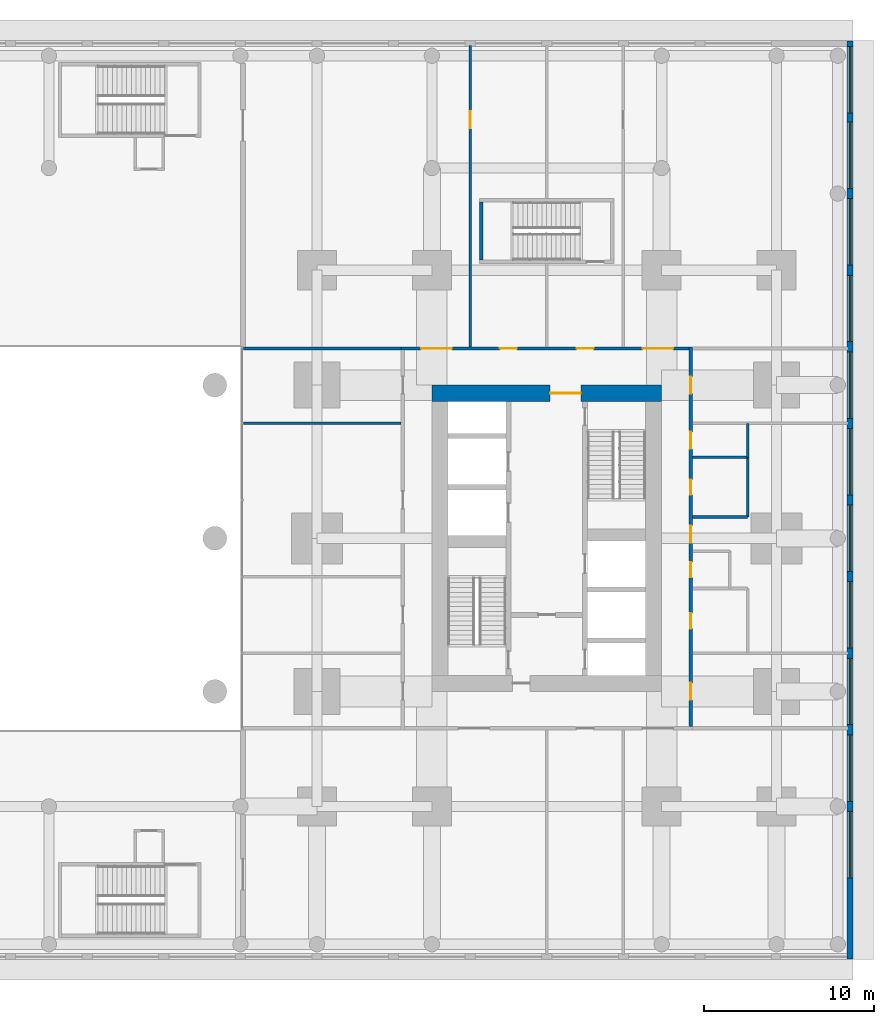
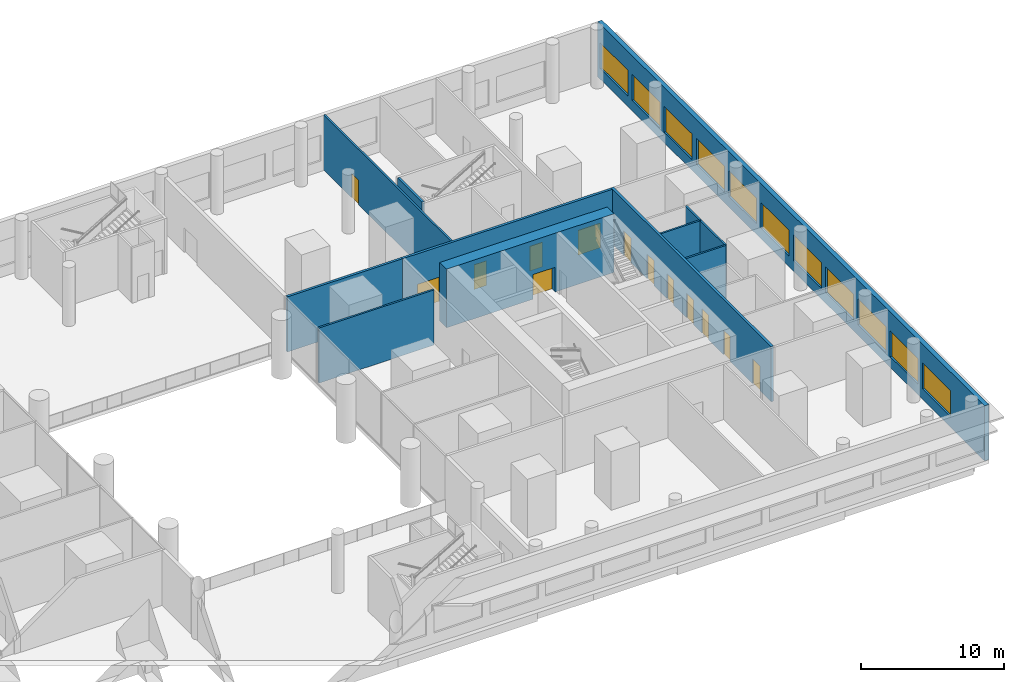
# One storey, part 16 of 22: 13 doors, 12 walls, 11 windows, 24 openings.
"""IFC4 building model written with IfcOpenShell, lengths in metres."""

from ifc_helpers import new_model, si_unit, direction, frame, frame_2d, origin, place, context, subcontext, project, spatial, rectangle, extrude, material, layer, layer_set, type_object, element, fill, save


model = new_model("IFC4")

# Units and contexts
model_context = context("Model", 3, precision=1e-05, world=origin(), true_north=direction((0.0, 1.0)))
body_context = subcontext(model_context, "Body", "Model", "MODEL_VIEW")
ifc_project = project(units=[si_unit("LENGTHUNIT", "METRE"), si_unit("AREAUNIT", "SQUARE_METRE"), si_unit("VOLUMEUNIT", "CUBIC_METRE"), si_unit("PLANEANGLEUNIT", "RADIAN"), si_unit("MASSUNIT", "GRAM", prefix="KILO")], contexts=[model_context])

# Site, building, storey
site_placement = place(None, origin())
site = spatial("IfcSite", under=ifc_project, at=site_placement, CompositionType="ELEMENT")
building_placement = place(site_placement, origin())
building = spatial("IfcBuilding", under=site, at=building_placement, Name="Namib Vertical Campus", CompositionType="ELEMENT")
storey_placement = place(building_placement, frame((0.0, 0.0, 11.0)))
storey = spatial("IfcBuildingStorey", under=building, at=storey_placement, Name="L02", CompositionType="ELEMENT", Elevation=11.0)

# Wall, opening, door
ifc_material_1 = material(Name="Concrete C60/75", Category="concrete")
ifc_layer_1 = layer(ifc_material_1, 0.949951171875)
ifc_layer_set_1 = layer_set([ifc_layer_1], Name="Concrete C60/75")
wall_type_1 = type_object("IfcWallType", Name="Core wall 950", PredefinedType="SHEAR", material=ifc_layer_set_1)
wall_1_placement = place(storey_placement, frame((87.75, 28.77490234375, 0.0), z_axis=(0.0, 0.0, 1.0), x_axis=(-1.0, 0.0, 0.0)))
wall_1 = element("IfcWall", 1, at=wall_1_placement, inside=storey, type_object=wall_type_1, Name="Core wall B L02 3", PredefinedType="SHEAR", context=body_context, shape_type="SweptSolid", body=[
    extrude(rectangle(XDim=13.5, YDim=0.949951171875, at=frame_2d((6.75, 0.0))), origin(), (0.0, 0.0, 1.0), 5.0),
])
opening_1_placement = place(wall_1_placement, frame((4.75, 0.0, 0.0)))
opening_1 = element("IfcOpeningElement", 2, at=opening_1_placement, cuts=wall_1, Name="Opening FD2", PredefinedType="OPENING", context=body_context, shape_type="SweptSolid", body=[
    extrude(rectangle(XDim=1.800048828125, YDim=2.10009765625, at=frame_2d((0.89990234375, 1.050048828125))), frame((0.0, 0.48486328125, 0.0), z_axis=(0.0, -1.0, 0.0), x_axis=(1.0, 0.0, 0.0)), (0.0, 0.0, 1.0), 0.969970703125),
])
ifc_material_2 = material(Name="Steel fire door", Category="steel")
door_type_1 = type_object("IfcDoorType", Name="Fire door double 1800x2100", OperationType="DOUBLE_DOOR_SINGLE_SWING", PredefinedType="DOOR", material=ifc_material_2)
door_1_placement = place(opening_1_placement, origin())
door_1 = element("IfcDoor", 3, at=door_1_placement, inside=storey, type_object=door_type_1, Name="Lift lobby door FD2 B L02", OperationType="DOUBLE_DOOR_SINGLE_SWING", OverallHeight=2.10009765625, OverallWidth=1.800048828125, PredefinedType="DOOR", context=body_context, shape_type="SweptSolid", body=[
    extrude(rectangle(XDim=1.800048828125, YDim=2.10009765625, at=frame_2d((0.89990234375, 1.050048828125))), frame((0.0, 0.02490234375, 0.0), z_axis=(0.0, -1.0, 0.0), x_axis=(1.0, 0.0, 0.0)), (0.0, 0.0, 1.0), 0.050048828125),
])
fill(opening_1, door_1)

# Wall, openings, doors
ifc_material_3 = material(Name="Concrete masonry", Category="masonry")
ifc_layer_2 = layer(ifc_material_3, 0.199951171875)
ifc_layer_set_2 = layer_set([ifc_layer_2], Name="Corridor wall 200")
wall_type_2 = type_object("IfcWallType", Name="Corridor wall 200", PredefinedType="SOLIDWALL", material=ifc_layer_set_2)
wall_2_placement = place(storey_placement, frame((89.449951171875, 9.199951171875, 0.0), z_axis=(0.0, 0.0, 1.0), x_axis=(0.0, 1.0, 0.0)))
wall_2 = element("IfcWall", 4, at=wall_2_placement, inside=storey, type_object=wall_type_2, Name="Corridor wall B L02 CE", PredefinedType="SOLIDWALL", context=body_context, shape_type="SweptSolid", body=[
    extrude(rectangle(XDim=22.300048828125, YDim=0.199951171875, at=frame_2d((11.14990234375, 0.0))), origin(), (0.0, 0.0, 1.0), 4.699951171875),
])
opening_2_placement = place(wall_2_placement, frame((1.550048828125, 0.0, 0.0)))
opening_2 = element("IfcOpeningElement", 5, at=opening_2_placement, cuts=wall_2, Name="Opening CD1", PredefinedType="OPENING", context=body_context, shape_type="SweptSolid", body=[
    extrude(rectangle(XDim=1.0, YDim=2.10009765625, at=frame_2d((0.5, 1.050048828125))), frame((0.0, 0.10986328125, 0.0), z_axis=(0.0, -1.0, 0.0), x_axis=(1.0, 0.0, 0.0)), (0.0, 0.0, 1.0), 0.219970703125),
])
opening_3_placement = place(wall_2_placement, frame((5.75, 0.0, 0.0)))
opening_3 = element("IfcOpeningElement", 6, at=opening_3_placement, cuts=wall_2, Name="Opening CD3", PredefinedType="OPENING", context=body_context, shape_type="SweptSolid", body=[
    extrude(rectangle(XDim=0.89990234375, YDim=2.10009765625, at=frame_2d((0.449951171875, 1.050048828125))), frame((0.0, 0.10986328125, 0.0), z_axis=(0.0, -1.0, 0.0), x_axis=(1.0, 0.0, 0.0)), (0.0, 0.0, 1.0), 0.219970703125),
])
opening_4_placement = place(wall_2_placement, frame((8.75, 0.0, 0.0)))
opening_4 = element("IfcOpeningElement", 7, at=opening_4_placement, cuts=wall_2, Name="Opening CD3", PredefinedType="OPENING", context=body_context, shape_type="SweptSolid", body=[
    extrude(rectangle(XDim=0.89990234375, YDim=2.10009765625, at=frame_2d((0.449951171875, 1.050048828125))), frame((0.0, 0.10986328125, 0.0), z_axis=(0.0, -1.0, 0.0), x_axis=(1.0, 0.0, 0.0)), (0.0, 0.0, 1.0), 0.219970703125),
])
opening_5_placement = place(wall_2_placement, frame((13.60009765625, 0.0, 0.0)))
opening_5 = element("IfcOpeningElement", 8, at=opening_5_placement, cuts=wall_2, Name="Opening CD3", PredefinedType="OPENING", context=body_context, shape_type="SweptSolid", body=[
    extrude(rectangle(XDim=0.89990234375, YDim=2.10009765625, at=frame_2d((0.449951171875, 1.050048828125))), frame((0.0, 0.10986328125, 0.0), z_axis=(0.0, -1.0, 0.0), x_axis=(1.0, 0.0, 0.0)), (0.0, 0.0, 1.0), 0.219970703125),
])
opening_6_placement = place(wall_2_placement, frame((16.300048828125, 0.0, 0.0)))
opening_6 = element("IfcOpeningElement", 9, at=opening_6_placement, cuts=wall_2, Name="Opening CD1", PredefinedType="OPENING", context=body_context, shape_type="SweptSolid", body=[
    extrude(rectangle(XDim=1.0, YDim=2.10009765625, at=frame_2d((0.5, 1.050048828125))), frame((0.0, 0.10986328125, 0.0), z_axis=(0.0, -1.0, 0.0), x_axis=(1.0, 0.0, 0.0)), (0.0, 0.0, 1.0), 0.219970703125),
])
opening_7_placement = place(wall_2_placement, frame((10.800048828125, 0.0, 0.0)))
opening_7 = element("IfcOpeningElement", 10, at=opening_7_placement, cuts=wall_2, Name="Opening CD1", PredefinedType="OPENING", context=body_context, shape_type="SweptSolid", body=[
    extrude(rectangle(XDim=1.0, YDim=2.10009765625, at=frame_2d((0.5, 1.050048828125))), frame((0.0, 0.10986328125, 0.0), z_axis=(0.0, -1.0, 0.0), x_axis=(1.0, 0.0, 0.0)), (0.0, 0.0, 1.0), 0.219970703125),
])
opening_8_placement = place(wall_2_placement, frame((19.550048828125, 0.0, 0.0)))
opening_8 = element("IfcOpeningElement", 11, at=opening_8_placement, cuts=wall_2, Name="Opening CD1", PredefinedType="OPENING", context=body_context, shape_type="SweptSolid", body=[
    extrude(rectangle(XDim=1.0, YDim=2.10009765625, at=frame_2d((0.5, 1.050048828125))), frame((0.0, 0.10986328125, 0.0), z_axis=(0.0, -1.0, 0.0), x_axis=(1.0, 0.0, 0.0)), (0.0, 0.0, 1.0), 0.219970703125),
])
ifc_material_4 = material(Name="Timber fire door leaf", Category="wood")
door_type_2 = type_object("IfcDoorType", Name="Corridor door 1000x2100 20 min", OperationType="SINGLE_SWING_LEFT", PredefinedType="DOOR", material=ifc_material_4)
door_2_placement = place(opening_2_placement, frame((1.0, 0.0, 0.0), z_axis=(0.0, 0.0, 1.0), x_axis=(-1.0, 0.0, 0.0)))
door_2 = element("IfcDoor", 12, at=door_2_placement, inside=storey, type_object=door_type_2, Name="Door CD1 B02-04", OperationType="SINGLE_SWING_RIGHT", OverallHeight=2.10009765625, OverallWidth=1.0, PredefinedType="DOOR", context=body_context, shape_type="SweptSolid", body=[
    extrude(rectangle(XDim=1.0, YDim=2.10009765625, at=frame_2d((0.5, 1.050048828125))), frame((0.0, 0.02490234375, 0.0), z_axis=(0.0, -1.0, 0.0), x_axis=(1.0, 0.0, 0.0)), (0.0, 0.0, 1.0), 0.050048828125),
])
fill(opening_2, door_2)
door_3_placement = place(opening_6_placement, frame((1.0, 0.0, 0.0), z_axis=(0.0, 0.0, 1.0), x_axis=(-1.0, 0.0, 0.0)))
door_3 = element("IfcDoor", 13, at=door_3_placement, inside=storey, type_object=door_type_2, Name="Door CD1 B02-08", OperationType="SINGLE_SWING_RIGHT", OverallHeight=2.10009765625, OverallWidth=1.0, PredefinedType="DOOR", context=body_context, shape_type="SweptSolid", body=[
    extrude(rectangle(XDim=1.0, YDim=2.10009765625, at=frame_2d((0.5, 1.050048828125))), frame((0.0, 0.02490234375, 0.0), z_axis=(0.0, -1.0, 0.0), x_axis=(1.0, 0.0, 0.0)), (0.0, 0.0, 1.0), 0.050048828125),
])
fill(opening_6, door_3)
door_4_placement = place(opening_7_placement, frame((1.0, 0.0, 0.0), z_axis=(0.0, 0.0, 1.0), x_axis=(-1.0, 0.0, 0.0)))
door_4 = element("IfcDoor", 14, at=door_4_placement, inside=storey, type_object=door_type_2, Name="Door CD1 B02-09", OperationType="SINGLE_SWING_RIGHT", OverallHeight=2.10009765625, OverallWidth=1.0, PredefinedType="DOOR", context=body_context, shape_type="SweptSolid", body=[
    extrude(rectangle(XDim=1.0, YDim=2.10009765625, at=frame_2d((0.5, 1.050048828125))), frame((0.0, 0.02490234375, 0.0), z_axis=(0.0, -1.0, 0.0), x_axis=(1.0, 0.0, 0.0)), (0.0, 0.0, 1.0), 0.050048828125),
])
fill(opening_7, door_4)
door_5_placement = place(opening_8_placement, frame((1.0, 0.0, 0.0), z_axis=(0.0, 0.0, 1.0), x_axis=(-1.0, 0.0, 0.0)))
door_5 = element("IfcDoor", 15, at=door_5_placement, inside=storey, type_object=door_type_2, Name="Door CD1 B02-10", OperationType="SINGLE_SWING_RIGHT", OverallHeight=2.10009765625, OverallWidth=1.0, PredefinedType="DOOR", context=body_context, shape_type="SweptSolid", body=[
    extrude(rectangle(XDim=1.0, YDim=2.10009765625, at=frame_2d((0.5, 1.050048828125))), frame((0.0, 0.02490234375, 0.0), z_axis=(0.0, -1.0, 0.0), x_axis=(1.0, 0.0, 0.0)), (0.0, 0.0, 1.0), 0.050048828125),
])
fill(opening_8, door_5)
ifc_material_5 = material(Name="Timber fire door leaf", Category="wood")
door_type_3 = type_object("IfcDoorType", Name="Corridor toilet door 900x2100 20 min", OperationType="SINGLE_SWING_LEFT", PredefinedType="DOOR", material=ifc_material_5)
door_6_placement = place(opening_3_placement, frame((0.89990234375, 0.0, 0.0), z_axis=(0.0, 0.0, 1.0), x_axis=(-1.0, 0.0, 0.0)))
door_6 = element("IfcDoor", 16, at=door_6_placement, inside=storey, type_object=door_type_3, Name="Door CD3 B02-05", OperationType="SINGLE_SWING_RIGHT", OverallHeight=2.10009765625, OverallWidth=0.89990234375, PredefinedType="DOOR", context=body_context, shape_type="SweptSolid", body=[
    extrude(rectangle(XDim=0.89990234375, YDim=2.10009765625, at=frame_2d((0.449951171875, 1.050048828125))), frame((0.0, 0.02490234375, 0.0), z_axis=(0.0, -1.0, 0.0), x_axis=(1.0, 0.0, 0.0)), (0.0, 0.0, 1.0), 0.050048828125),
])
fill(opening_3, door_6)
door_7_placement = place(opening_4_placement, frame((0.89990234375, 0.0, 0.0), z_axis=(0.0, 0.0, 1.0), x_axis=(-1.0, 0.0, 0.0)))
door_7 = element("IfcDoor", 17, at=door_7_placement, inside=storey, type_object=door_type_3, Name="Door CD3 B02-06", OperationType="SINGLE_SWING_RIGHT", OverallHeight=2.10009765625, OverallWidth=0.89990234375, PredefinedType="DOOR", context=body_context, shape_type="SweptSolid", body=[
    extrude(rectangle(XDim=0.89990234375, YDim=2.10009765625, at=frame_2d((0.449951171875, 1.050048828125))), frame((0.0, 0.02490234375, 0.0), z_axis=(0.0, -1.0, 0.0), x_axis=(1.0, 0.0, 0.0)), (0.0, 0.0, 1.0), 0.050048828125),
])
fill(opening_4, door_7)
door_8_placement = place(opening_5_placement, frame((0.89990234375, 0.0, 0.0), z_axis=(0.0, 0.0, 1.0), x_axis=(-1.0, 0.0, 0.0)))
door_8 = element("IfcDoor", 18, at=door_8_placement, inside=storey, type_object=door_type_3, Name="Door CD3 B02-07", OperationType="SINGLE_SWING_RIGHT", OverallHeight=2.10009765625, OverallWidth=0.89990234375, PredefinedType="DOOR", context=body_context, shape_type="SweptSolid", body=[
    extrude(rectangle(XDim=0.89990234375, YDim=2.10009765625, at=frame_2d((0.449951171875, 1.050048828125))), frame((0.0, 0.02490234375, 0.0), z_axis=(0.0, -1.0, 0.0), x_axis=(1.0, 0.0, 0.0)), (0.0, 0.0, 1.0), 0.050048828125),
])
fill(opening_5, door_8)

wall_3_placement = place(storey_placement, frame((89.35009765625, 31.39990234375, 0.0), z_axis=(0.0, 0.0, 1.0), x_axis=(-1.0, 0.0, 0.0)))
wall_3 = element("IfcWall", 19, at=wall_3_placement, inside=storey, type_object=wall_type_2, Name="Corridor wall B L02 CN", PredefinedType="SOLIDWALL", context=body_context, shape_type="SweptSolid", body=[
    extrude(rectangle(XDim=16.900146484375, YDim=0.199951171875, at=frame_2d((8.4501953125, 0.0))), origin(), (0.0, 0.0, 1.0), 4.699951171875),
])
opening_9_placement = place(wall_3_placement, frame((13.925048828125, 0.0, 0.0)))
opening_9 = element("IfcOpeningElement", 20, at=opening_9_placement, cuts=wall_3, Name="Opening CD2", PredefinedType="OPENING", context=body_context, shape_type="SweptSolid", body=[
    extrude(rectangle(XDim=1.800048828125, YDim=2.10009765625, at=frame_2d((0.89990234375, 1.050048828125))), frame((0.0, 0.10986328125, 0.0), z_axis=(0.0, -1.0, 0.0), x_axis=(1.0, 0.0, 0.0)), (0.0, 0.0, 1.0), 0.219970703125),
])
opening_10_placement = place(wall_3_placement, frame((10.10009765625, 0.0, 0.0)))
opening_10 = element("IfcOpeningElement", 21, at=opening_10_placement, cuts=wall_3, Name="Opening CD1", PredefinedType="OPENING", context=body_context, shape_type="SweptSolid", body=[
    extrude(rectangle(XDim=1.0, YDim=2.10009765625, at=frame_2d((0.5, 1.050048828125))), frame((0.0, 0.10986328125, 0.0), z_axis=(0.0, -1.0, 0.0), x_axis=(1.0, 0.0, 0.0)), (0.0, 0.0, 1.0), 0.219970703125),
])
opening_11_placement = place(wall_3_placement, frame((0.925048828125, 0.0, 0.0)))
opening_11 = element("IfcOpeningElement", 22, at=opening_11_placement, cuts=wall_3, Name="Opening CD2", PredefinedType="OPENING", context=body_context, shape_type="SweptSolid", body=[
    extrude(rectangle(XDim=1.800048828125, YDim=2.10009765625, at=frame_2d((0.89990234375, 1.050048828125))), frame((0.0, 0.10986328125, 0.0), z_axis=(0.0, -1.0, 0.0), x_axis=(1.0, 0.0, 0.0)), (0.0, 0.0, 1.0), 0.219970703125),
])
opening_12_placement = place(wall_3_placement, frame((5.60009765625, 0.0, 0.0)))
opening_12 = element("IfcOpeningElement", 23, at=opening_12_placement, cuts=wall_3, Name="Opening CD1", PredefinedType="OPENING", context=body_context, shape_type="SweptSolid", body=[
    extrude(rectangle(XDim=1.0, YDim=2.10009765625, at=frame_2d((0.5, 1.050048828125))), frame((0.0, 0.10986328125, 0.0), z_axis=(0.0, -1.0, 0.0), x_axis=(1.0, 0.0, 0.0)), (0.0, 0.0, 1.0), 0.219970703125),
])
door_9_placement = place(opening_10_placement, frame((1.0, 0.0, 0.0), z_axis=(0.0, 0.0, 1.0), x_axis=(-1.0, 0.0, 0.0)))
door_9 = element("IfcDoor", 24, at=door_9_placement, inside=storey, type_object=door_type_2, Name="Door CD1 B02-12", OperationType="SINGLE_SWING_RIGHT", OverallHeight=2.10009765625, OverallWidth=1.0, PredefinedType="DOOR", context=body_context, shape_type="SweptSolid", body=[
    extrude(rectangle(XDim=1.0, YDim=2.10009765625, at=frame_2d((0.5, 1.050048828125))), frame((0.0, 0.02490234375, 0.0), z_axis=(0.0, -1.0, 0.0), x_axis=(1.0, 0.0, 0.0)), (0.0, 0.0, 1.0), 0.050048828125),
])
fill(opening_10, door_9)
door_10_placement = place(opening_12_placement, frame((1.0, 0.0, 0.0), z_axis=(0.0, 0.0, 1.0), x_axis=(-1.0, 0.0, 0.0)))
door_10 = element("IfcDoor", 25, at=door_10_placement, inside=storey, type_object=door_type_2, Name="Door CD1 B02-20", OperationType="SINGLE_SWING_RIGHT", OverallHeight=2.10009765625, OverallWidth=1.0, PredefinedType="DOOR", context=body_context, shape_type="SweptSolid", body=[
    extrude(rectangle(XDim=1.0, YDim=2.10009765625, at=frame_2d((0.5, 1.050048828125))), frame((0.0, 0.02490234375, 0.0), z_axis=(0.0, -1.0, 0.0), x_axis=(1.0, 0.0, 0.0)), (0.0, 0.0, 1.0), 0.050048828125),
])
fill(opening_12, door_10)
ifc_material_6 = material(Name="Timber fire door leaf", Category="wood")
door_type_4 = type_object("IfcDoorType", Name="Corridor door double 1800x2100 20 min", OperationType="DOUBLE_DOOR_SINGLE_SWING", PredefinedType="DOOR", material=ifc_material_6)
door_11_placement = place(opening_9_placement, origin())
door_11 = element("IfcDoor", 26, at=door_11_placement, inside=storey, type_object=door_type_4, Name="Door CD2 B02-11", OperationType="DOUBLE_DOOR_SINGLE_SWING", OverallHeight=2.10009765625, OverallWidth=1.800048828125, PredefinedType="DOOR", context=body_context, shape_type="SweptSolid", body=[
    extrude(rectangle(XDim=1.800048828125, YDim=2.10009765625, at=frame_2d((0.89990234375, 1.050048828125))), frame((0.0, 0.02490234375, 0.0), z_axis=(0.0, -1.0, 0.0), x_axis=(1.0, 0.0, 0.0)), (0.0, 0.0, 1.0), 0.050048828125),
])
fill(opening_9, door_11)
door_12_placement = place(opening_11_placement, frame((1.800048828125, 0.0, 0.0), z_axis=(0.0, 0.0, 1.0), x_axis=(-1.0, 0.0, 0.0)))
door_12 = element("IfcDoor", 27, at=door_12_placement, inside=storey, type_object=door_type_4, Name="Door CD2 B02-13", OperationType="DOUBLE_DOOR_SINGLE_SWING", OverallHeight=2.10009765625, OverallWidth=1.800048828125, PredefinedType="DOOR", context=body_context, shape_type="SweptSolid", body=[
    extrude(rectangle(XDim=1.800048828125, YDim=2.10009765625, at=frame_2d((0.89990234375, 1.050048828125))), frame((0.0, 0.02490234375, 0.0), z_axis=(0.0, -1.0, 0.0), x_axis=(1.0, 0.0, 0.0)), (0.0, 0.0, 1.0), 0.050048828125),
])
fill(opening_11, door_12)

# Wall
wall_4_placement = place(storey_placement, frame((63.179931640625, 31.39990234375, 0.0), z_axis=(0.0, 0.0, 1.0), x_axis=(1.0, 0.0, 0.0)))
element("IfcWall", 28, at=wall_4_placement, inside=storey, type_object=wall_type_2, Name="Partition B L02 BNW", PredefinedType="SOLIDWALL", context=body_context, shape_type="SweptSolid", body=[
    extrude(rectangle(XDim=9.27001953125, YDim=0.199951171875, at=frame_2d((4.635009765625, 0.0))), origin(), (0.0, 0.0, 1.0), 4.699951171875),
])

# Wall, openings, windows
ifc_material_7 = material(Name="Concrete C40/50", Category="concrete")
ifc_layer_3 = layer(ifc_material_7, 0.35009765625)
ifc_layer_set_3 = layer_set([ifc_layer_3], Name="Concrete C40/50")
wall_type_3 = type_object("IfcWallType", Name="External wall 350 bush-hammered concrete", PredefinedType="STANDARD", material=ifc_layer_set_3)
wall_5_placement = place(storey_placement, frame((98.824951171875, -4.47998046875, 0.0), z_axis=(0.0, 0.0, 1.0), x_axis=(0.0, 1.0, 0.0)))
wall_5 = element("IfcWall", 29, at=wall_5_placement, inside=storey, type_object=wall_type_3, Name="External wall L02 F2", PredefinedType="STANDARD", context=body_context, shape_type="SweptSolid", body=[
    extrude(rectangle(XDim=53.9599609375, YDim=0.35009765625, at=frame_2d((26.97998046875, 0.0))), origin(), (0.0, 0.0, 1.0), 4.699951171875),
])
opening_13_placement = place(wall_5_placement, frame((4.780029296875, 0.0, 0.89990234375)))
opening_13 = element("IfcOpeningElement", 30, at=opening_13_placement, cuts=wall_5, Name="Opening W1", PredefinedType="OPENING", context=body_context, shape_type="SweptSolid", body=[
    extrude(rectangle(XDim=3.89990234375, YDim=2.199951171875, at=frame_2d((1.949951171875, 1.10009765625))), frame((0.0, 0.18505859375, 0.0), z_axis=(0.0, -1.0, 0.0), x_axis=(1.0, 0.0, 0.0)), (0.0, 0.0, 1.0), 0.3701171875),
])
opening_14_placement = place(wall_5_placement, frame((9.280029296875, 0.0, 0.89990234375)))
opening_14 = element("IfcOpeningElement", 31, at=opening_14_placement, cuts=wall_5, Name="Opening W1", PredefinedType="OPENING", context=body_context, shape_type="SweptSolid", body=[
    extrude(rectangle(XDim=3.89990234375, YDim=2.199951171875, at=frame_2d((1.949951171875, 1.10009765625))), frame((0.0, 0.18505859375, 0.0), z_axis=(0.0, -1.0, 0.0), x_axis=(1.0, 0.0, 0.0)), (0.0, 0.0, 1.0), 0.3701171875),
])
opening_15_placement = place(wall_5_placement, frame((13.780029296875, 0.0, 0.89990234375)))
opening_15 = element("IfcOpeningElement", 32, at=opening_15_placement, cuts=wall_5, Name="Opening W1", PredefinedType="OPENING", context=body_context, shape_type="SweptSolid", body=[
    extrude(rectangle(XDim=3.89990234375, YDim=2.199951171875, at=frame_2d((1.949951171875, 1.10009765625))), frame((0.0, 0.18505859375, 0.0), z_axis=(0.0, -1.0, 0.0), x_axis=(1.0, 0.0, 0.0)), (0.0, 0.0, 1.0), 0.3701171875),
])
opening_16_placement = place(wall_5_placement, frame((18.280029296875, 0.0, 0.89990234375)))
opening_16 = element("IfcOpeningElement", 33, at=opening_16_placement, cuts=wall_5, Name="Opening W1", PredefinedType="OPENING", context=body_context, shape_type="SweptSolid", body=[
    extrude(rectangle(XDim=3.89990234375, YDim=2.199951171875, at=frame_2d((1.949951171875, 1.10009765625))), frame((0.0, 0.18505859375, 0.0), z_axis=(0.0, -1.0, 0.0), x_axis=(1.0, 0.0, 0.0)), (0.0, 0.0, 1.0), 0.3701171875),
])
opening_17_placement = place(wall_5_placement, frame((22.780029296875, 0.0, 0.89990234375)))
opening_17 = element("IfcOpeningElement", 34, at=opening_17_placement, cuts=wall_5, Name="Opening W1", PredefinedType="OPENING", context=body_context, shape_type="SweptSolid", body=[
    extrude(rectangle(XDim=3.89990234375, YDim=2.199951171875, at=frame_2d((1.949951171875, 1.10009765625))), frame((0.0, 0.18505859375, 0.0), z_axis=(0.0, -1.0, 0.0), x_axis=(1.0, 0.0, 0.0)), (0.0, 0.0, 1.0), 0.3701171875),
])
opening_18_placement = place(wall_5_placement, frame((27.280029296875, 0.0, 0.89990234375)))
opening_18 = element("IfcOpeningElement", 35, at=opening_18_placement, cuts=wall_5, Name="Opening W1", PredefinedType="OPENING", context=body_context, shape_type="SweptSolid", body=[
    extrude(rectangle(XDim=3.89990234375, YDim=2.199951171875, at=frame_2d((1.949951171875, 1.10009765625))), frame((0.0, 0.18505859375, 0.0), z_axis=(0.0, -1.0, 0.0), x_axis=(1.0, 0.0, 0.0)), (0.0, 0.0, 1.0), 0.3701171875),
])
opening_19_placement = place(wall_5_placement, frame((31.780029296875, 0.0, 0.89990234375)))
opening_19 = element("IfcOpeningElement", 36, at=opening_19_placement, cuts=wall_5, Name="Opening W1", PredefinedType="OPENING", context=body_context, shape_type="SweptSolid", body=[
    extrude(rectangle(XDim=3.89990234375, YDim=2.199951171875, at=frame_2d((1.949951171875, 1.10009765625))), frame((0.0, 0.18505859375, 0.0), z_axis=(0.0, -1.0, 0.0), x_axis=(1.0, 0.0, 0.0)), (0.0, 0.0, 1.0), 0.3701171875),
])
opening_20_placement = place(wall_5_placement, frame((36.280029296875, 0.0, 0.89990234375)))
opening_20 = element("IfcOpeningElement", 37, at=opening_20_placement, cuts=wall_5, Name="Opening W1", PredefinedType="OPENING", context=body_context, shape_type="SweptSolid", body=[
    extrude(rectangle(XDim=3.89990234375, YDim=2.199951171875, at=frame_2d((1.949951171875, 1.10009765625))), frame((0.0, 0.18505859375, 0.0), z_axis=(0.0, -1.0, 0.0), x_axis=(1.0, 0.0, 0.0)), (0.0, 0.0, 1.0), 0.3701171875),
])
opening_21_placement = place(wall_5_placement, frame((40.780029296875, 0.0, 0.89990234375)))
opening_21 = element("IfcOpeningElement", 38, at=opening_21_placement, cuts=wall_5, Name="Opening W1", PredefinedType="OPENING", context=body_context, shape_type="SweptSolid", body=[
    extrude(rectangle(XDim=3.89990234375, YDim=2.199951171875, at=frame_2d((1.949951171875, 1.10009765625))), frame((0.0, 0.18505859375, 0.0), z_axis=(0.0, -1.0, 0.0), x_axis=(1.0, 0.0, 0.0)), (0.0, 0.0, 1.0), 0.3701171875),
])
opening_22_placement = place(wall_5_placement, frame((45.280029296875, 0.0, 0.89990234375)))
opening_22 = element("IfcOpeningElement", 39, at=opening_22_placement, cuts=wall_5, Name="Opening W1", PredefinedType="OPENING", context=body_context, shape_type="SweptSolid", body=[
    extrude(rectangle(XDim=3.89990234375, YDim=2.199951171875, at=frame_2d((1.949951171875, 1.10009765625))), frame((0.0, 0.18505859375, 0.0), z_axis=(0.0, -1.0, 0.0), x_axis=(1.0, 0.0, 0.0)), (0.0, 0.0, 1.0), 0.3701171875),
])
opening_23_placement = place(wall_5_placement, frame((49.7099609375, 0.0, 0.89990234375)))
opening_23 = element("IfcOpeningElement", 40, at=opening_23_placement, cuts=wall_5, Name="Opening W1", PredefinedType="OPENING", context=body_context, shape_type="SweptSolid", body=[
    extrude(rectangle(XDim=3.89990234375, YDim=2.199951171875, at=frame_2d((1.949951171875, 1.10009765625))), frame((0.0, 0.18505859375, 0.0), z_axis=(0.0, -1.0, 0.0), x_axis=(1.0, 0.0, 0.0)), (0.0, 0.0, 1.0), 0.3701171875),
])
ifc_material_8 = material(Name="Dark tinted glass in black aluminium frame", Category="aluminium")
window_type = type_object("IfcWindowType", Name="Ribbon window 3900x2200", PartitioningType="SINGLE_PANEL", PredefinedType="WINDOW", material=ifc_material_8)
window_1_placement = place(opening_13_placement, origin())
window_1 = element("IfcWindow", 41, at=window_1_placement, inside=storey, type_object=window_type, Name="Window W1 L02 F2-2", OverallHeight=2.199951171875, OverallWidth=3.89990234375, PartitioningType="SINGLE_PANEL", PredefinedType="WINDOW", context=body_context, shape_type="SweptSolid", body=[
    extrude(rectangle(XDim=3.89990234375, YDim=2.199951171875, at=frame_2d((1.949951171875, 1.10009765625))), frame((0.0, 0.030029296875, 0.0), z_axis=(0.0, -1.0, 0.0), x_axis=(1.0, 0.0, 0.0)), (0.0, 0.0, 1.0), 0.06005859375),
])
fill(opening_13, window_1)
window_2_placement = place(opening_14_placement, origin())
window_2 = element("IfcWindow", 42, at=window_2_placement, inside=storey, type_object=window_type, Name="Window W1 L02 F2-3", OverallHeight=2.199951171875, OverallWidth=3.89990234375, PartitioningType="SINGLE_PANEL", PredefinedType="WINDOW", context=body_context, shape_type="SweptSolid", body=[
    extrude(rectangle(XDim=3.89990234375, YDim=2.199951171875, at=frame_2d((1.949951171875, 1.10009765625))), frame((0.0, 0.030029296875, 0.0), z_axis=(0.0, -1.0, 0.0), x_axis=(1.0, 0.0, 0.0)), (0.0, 0.0, 1.0), 0.06005859375),
])
fill(opening_14, window_2)
window_3_placement = place(opening_15_placement, origin())
window_3 = element("IfcWindow", 43, at=window_3_placement, inside=storey, type_object=window_type, Name="Window W1 L02 F2-4", OverallHeight=2.199951171875, OverallWidth=3.89990234375, PartitioningType="SINGLE_PANEL", PredefinedType="WINDOW", context=body_context, shape_type="SweptSolid", body=[
    extrude(rectangle(XDim=3.89990234375, YDim=2.199951171875, at=frame_2d((1.949951171875, 1.10009765625))), frame((0.0, 0.030029296875, 0.0), z_axis=(0.0, -1.0, 0.0), x_axis=(1.0, 0.0, 0.0)), (0.0, 0.0, 1.0), 0.06005859375),
])
fill(opening_15, window_3)
window_4_placement = place(opening_16_placement, origin())
window_4 = element("IfcWindow", 44, at=window_4_placement, inside=storey, type_object=window_type, Name="Window W1 L02 F2-5", OverallHeight=2.199951171875, OverallWidth=3.89990234375, PartitioningType="SINGLE_PANEL", PredefinedType="WINDOW", context=body_context, shape_type="SweptSolid", body=[
    extrude(rectangle(XDim=3.89990234375, YDim=2.199951171875, at=frame_2d((1.949951171875, 1.10009765625))), frame((0.0, 0.030029296875, 0.0), z_axis=(0.0, -1.0, 0.0), x_axis=(1.0, 0.0, 0.0)), (0.0, 0.0, 1.0), 0.06005859375),
])
fill(opening_16, window_4)
window_5_placement = place(opening_17_placement, origin())
window_5 = element("IfcWindow", 45, at=window_5_placement, inside=storey, type_object=window_type, Name="Window W1 L02 F2-6", OverallHeight=2.199951171875, OverallWidth=3.89990234375, PartitioningType="SINGLE_PANEL", PredefinedType="WINDOW", context=body_context, shape_type="SweptSolid", body=[
    extrude(rectangle(XDim=3.89990234375, YDim=2.199951171875, at=frame_2d((1.949951171875, 1.10009765625))), frame((0.0, 0.030029296875, 0.0), z_axis=(0.0, -1.0, 0.0), x_axis=(1.0, 0.0, 0.0)), (0.0, 0.0, 1.0), 0.06005859375),
])
fill(opening_17, window_5)
window_6_placement = place(opening_18_placement, origin())
window_6 = element("IfcWindow", 46, at=window_6_placement, inside=storey, type_object=window_type, Name="Window W1 L02 F2-7", OverallHeight=2.199951171875, OverallWidth=3.89990234375, PartitioningType="SINGLE_PANEL", PredefinedType="WINDOW", context=body_context, shape_type="SweptSolid", body=[
    extrude(rectangle(XDim=3.89990234375, YDim=2.199951171875, at=frame_2d((1.949951171875, 1.10009765625))), frame((0.0, 0.030029296875, 0.0), z_axis=(0.0, -1.0, 0.0), x_axis=(1.0, 0.0, 0.0)), (0.0, 0.0, 1.0), 0.06005859375),
])
fill(opening_18, window_6)
window_7_placement = place(opening_19_placement, origin())
window_7 = element("IfcWindow", 47, at=window_7_placement, inside=storey, type_object=window_type, Name="Window W1 L02 F2-8", OverallHeight=2.199951171875, OverallWidth=3.89990234375, PartitioningType="SINGLE_PANEL", PredefinedType="WINDOW", context=body_context, shape_type="SweptSolid", body=[
    extrude(rectangle(XDim=3.89990234375, YDim=2.199951171875, at=frame_2d((1.949951171875, 1.10009765625))), frame((0.0, 0.030029296875, 0.0), z_axis=(0.0, -1.0, 0.0), x_axis=(1.0, 0.0, 0.0)), (0.0, 0.0, 1.0), 0.06005859375),
])
fill(opening_19, window_7)
window_8_placement = place(opening_20_placement, origin())
window_8 = element("IfcWindow", 48, at=window_8_placement, inside=storey, type_object=window_type, Name="Window W1 L02 F2-9", OverallHeight=2.199951171875, OverallWidth=3.89990234375, PartitioningType="SINGLE_PANEL", PredefinedType="WINDOW", context=body_context, shape_type="SweptSolid", body=[
    extrude(rectangle(XDim=3.89990234375, YDim=2.199951171875, at=frame_2d((1.949951171875, 1.10009765625))), frame((0.0, 0.030029296875, 0.0), z_axis=(0.0, -1.0, 0.0), x_axis=(1.0, 0.0, 0.0)), (0.0, 0.0, 1.0), 0.06005859375),
])
fill(opening_20, window_8)
window_9_placement = place(opening_21_placement, origin())
window_9 = element("IfcWindow", 49, at=window_9_placement, inside=storey, type_object=window_type, Name="Window W1 L02 F2-10", OverallHeight=2.199951171875, OverallWidth=3.89990234375, PartitioningType="SINGLE_PANEL", PredefinedType="WINDOW", context=body_context, shape_type="SweptSolid", body=[
    extrude(rectangle(XDim=3.89990234375, YDim=2.199951171875, at=frame_2d((1.949951171875, 1.10009765625))), frame((0.0, 0.030029296875, 0.0), z_axis=(0.0, -1.0, 0.0), x_axis=(1.0, 0.0, 0.0)), (0.0, 0.0, 1.0), 0.06005859375),
])
fill(opening_21, window_9)
window_10_placement = place(opening_22_placement, origin())
window_10 = element("IfcWindow", 50, at=window_10_placement, inside=storey, type_object=window_type, Name="Window W1 L02 F2-11", OverallHeight=2.199951171875, OverallWidth=3.89990234375, PartitioningType="SINGLE_PANEL", PredefinedType="WINDOW", context=body_context, shape_type="SweptSolid", body=[
    extrude(rectangle(XDim=3.89990234375, YDim=2.199951171875, at=frame_2d((1.949951171875, 1.10009765625))), frame((0.0, 0.030029296875, 0.0), z_axis=(0.0, -1.0, 0.0), x_axis=(1.0, 0.0, 0.0)), (0.0, 0.0, 1.0), 0.06005859375),
])
fill(opening_22, window_10)
window_11_placement = place(opening_23_placement, origin())
window_11 = element("IfcWindow", 51, at=window_11_placement, inside=storey, type_object=window_type, Name="Window W1 L02 F2-12", OverallHeight=2.199951171875, OverallWidth=3.89990234375, PartitioningType="SINGLE_PANEL", PredefinedType="WINDOW", context=body_context, shape_type="SweptSolid", body=[
    extrude(rectangle(XDim=3.89990234375, YDim=2.199951171875, at=frame_2d((1.949951171875, 1.10009765625))), frame((0.0, 0.030029296875, 0.0), z_axis=(0.0, -1.0, 0.0), x_axis=(1.0, 0.0, 0.0)), (0.0, 0.0, 1.0), 0.06005859375),
])
fill(opening_23, window_11)

# Wall, opening, door
ifc_material_9 = material(Name="Gypsum board on steel studs", Category="steel")
ifc_layer_4 = layer(ifc_material_9, 0.14990234375)
ifc_layer_set_4 = layer_set([ifc_layer_4], Name="Gypsum board on steel studs")
wall_type_4 = type_object("IfcWallType", Name="Partition 150", PredefinedType="PARTITIONING", material=ifc_layer_set_4)
wall_6_placement = place(storey_placement, frame((76.5, 31.5, 0.0), z_axis=(0.0, 0.0, 1.0), x_axis=(0.0, 1.0, 0.0)))
wall_6 = element("IfcWall", 52, at=wall_6_placement, inside=storey, type_object=wall_type_4, Name="Partition B L02 PN1", PredefinedType="PARTITIONING", context=body_context, shape_type="SweptSolid", body=[
    extrude(rectangle(XDim=17.699951171875, YDim=0.14990234375, at=frame_2d((8.85009765625, 0.0))), origin(), (0.0, 0.0, 1.0), 4.699951171875),
])
opening_24_placement = place(wall_6_placement, frame((12.85009765625, 0.0, 0.0)))
opening_24 = element("IfcOpeningElement", 53, at=opening_24_placement, cuts=wall_6, Name="Opening D1", PredefinedType="OPENING", context=body_context, shape_type="SweptSolid", body=[
    extrude(rectangle(XDim=1.0, YDim=2.10009765625, at=frame_2d((0.5, 1.050048828125))), frame((0.0, 0.0849609375, 0.0), z_axis=(0.0, -1.0, 0.0), x_axis=(1.0, 0.0, 0.0)), (0.0, 0.0, 1.0), 0.169921875),
])
ifc_material_10 = material(Name="Timber door leaf", Category="wood")
door_type_5 = type_object("IfcDoorType", Name="Door single 1000x2100", OperationType="SINGLE_SWING_LEFT", PredefinedType="DOOR", material=ifc_material_10)
door_13_placement = place(opening_24_placement, frame((1.0, 0.0, 0.0), z_axis=(0.0, 0.0, 1.0), x_axis=(-1.0, 0.0, 0.0)))
door_13 = element("IfcDoor", 54, at=door_13_placement, inside=storey, type_object=door_type_5, Name="Door D1 B02-19", OperationType="SINGLE_SWING_RIGHT", OverallHeight=2.10009765625, OverallWidth=1.0, PredefinedType="DOOR", context=body_context, shape_type="SweptSolid", body=[
    extrude(rectangle(XDim=1.0, YDim=2.10009765625, at=frame_2d((0.5, 1.050048828125))), frame((0.0, 0.02490234375, 0.0), z_axis=(0.0, -1.0, 0.0), x_axis=(1.0, 0.0, 0.0)), (0.0, 0.0, 1.0), 0.050048828125),
])
fill(opening_24, door_13)

# Walls
wall_7_placement = place(storey_placement, frame((63.179931640625, 27.0, 0.0), z_axis=(0.0, 0.0, 1.0), x_axis=(1.0, 0.0, 0.0)))
element("IfcWall", 55, at=wall_7_placement, inside=storey, type_object=wall_type_4, Name="Partition B L02 PW3", PredefinedType="PARTITIONING", context=body_context, shape_type="SweptSolid", body=[
    extrude(rectangle(XDim=9.27001953125, YDim=0.14990234375, at=frame_2d((4.635009765625, 0.0))), origin(), (0.0, 0.0, 1.0), 4.699951171875),
])
for number, where, z_axis, x_axis, name in (
    (56, (89.550048828125, 21.5, 0.0), (0.0, 0.0, 1.0), (1.0, 0.0, 0.0), "Partition B L02 WR3"),
    (57, (89.550048828125, 25.0, 0.0), (0.0, 0.0, 1.0), (1.0, 0.0, 0.0), "Partition B L02 WR4"),
):
    element("IfcWall", number, at=place(storey_placement, frame(where, z_axis=z_axis, x_axis=x_axis)), inside=storey, type_object=wall_type_4, Name=name, PredefinedType="PARTITIONING", context=body_context, shape_type="SweptSolid", body=[
        extrude(rectangle(XDim=3.25, YDim=0.14990234375, at=frame_2d((1.625, 0.0))), origin(), (0.0, 0.0, 1.0), 4.699951171875),
    ])
wall_8_placement = place(storey_placement, frame((92.800048828125, 21.5, 0.0), z_axis=(0.0, 0.0, 1.0), x_axis=(0.0, 1.0, 0.0)))
element("IfcWall", 58, at=wall_8_placement, inside=storey, type_object=wall_type_4, Name="Partition B L02 WB3", PredefinedType="PARTITIONING", context=body_context, shape_type="SweptSolid", body=[
    extrude(rectangle(XDim=3.5, YDim=0.14990234375, at=frame_2d((1.75, 0.0))), origin(), (0.0, 0.0, 1.0), 4.699951171875),
])
wall_9_placement = place(storey_placement, frame((92.800048828125, 25.0, 0.0), z_axis=(0.0, 0.0, 1.0), x_axis=(0.0, 1.0, 0.0)))
element("IfcWall", 59, at=wall_9_placement, inside=storey, type_object=wall_type_4, Name="Partition B L02 WB4", PredefinedType="PARTITIONING", context=body_context, shape_type="SweptSolid", body=[
    extrude(rectangle(XDim=2.0, YDim=0.14990234375, at=frame_2d((1.0, 0.0))), origin(), (0.0, 0.0, 1.0), 4.699951171875),
])
ifc_material_11 = material(Name="Concrete C40/50", Category="concrete")
ifc_layer_5 = layer(ifc_material_11, 0.199951171875)
ifc_layer_set_5 = layer_set([ifc_layer_5], Name="Concrete C40/50")
wall_type_5 = type_object("IfcWallType", Name="Stair enclosure wall RC 200", PredefinedType="SOLIDWALL", material=ifc_layer_set_5)
wall_10_placement = place(storey_placement, frame((77.14990234375, 36.60009765625, 0.0), z_axis=(0.0, 0.0, 1.0), x_axis=(0.0, 1.0, 0.0)))
element("IfcWall", 60, at=wall_10_placement, inside=storey, type_object=wall_type_5, Name="Stair enclosure wall B-S3 L02 W", PredefinedType="SOLIDWALL", context=body_context, shape_type="SweptSolid", body=[
    extrude(rectangle(XDim=3.39990234375, YDim=0.199951171875, at=frame_2d((1.699951171875, 0.0))), origin(), (0.0, 0.0, 1.0), 4.699951171875),
])

save(model, "model.ifc")
